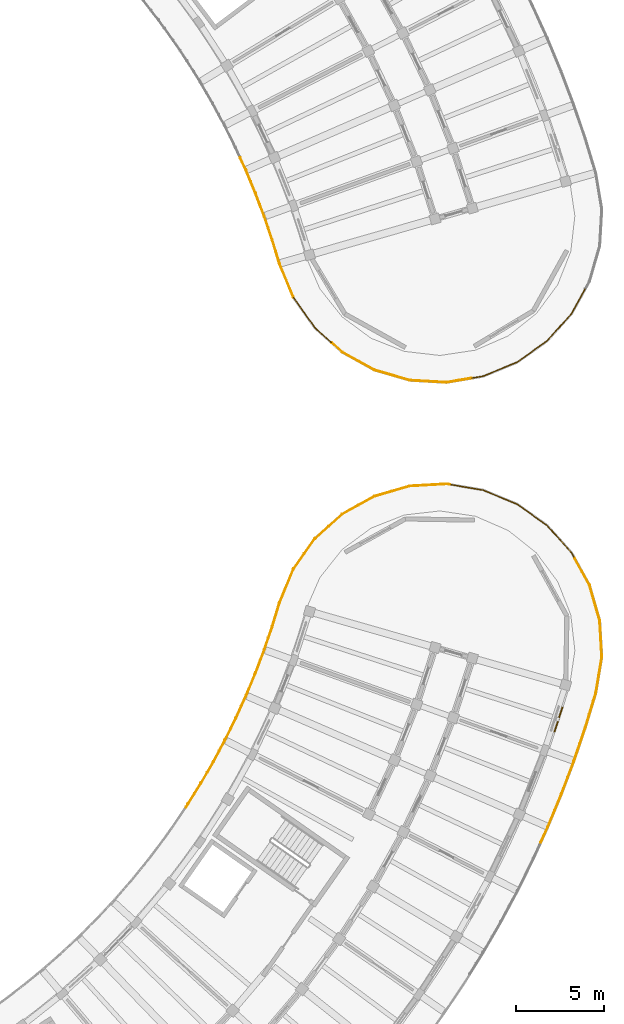
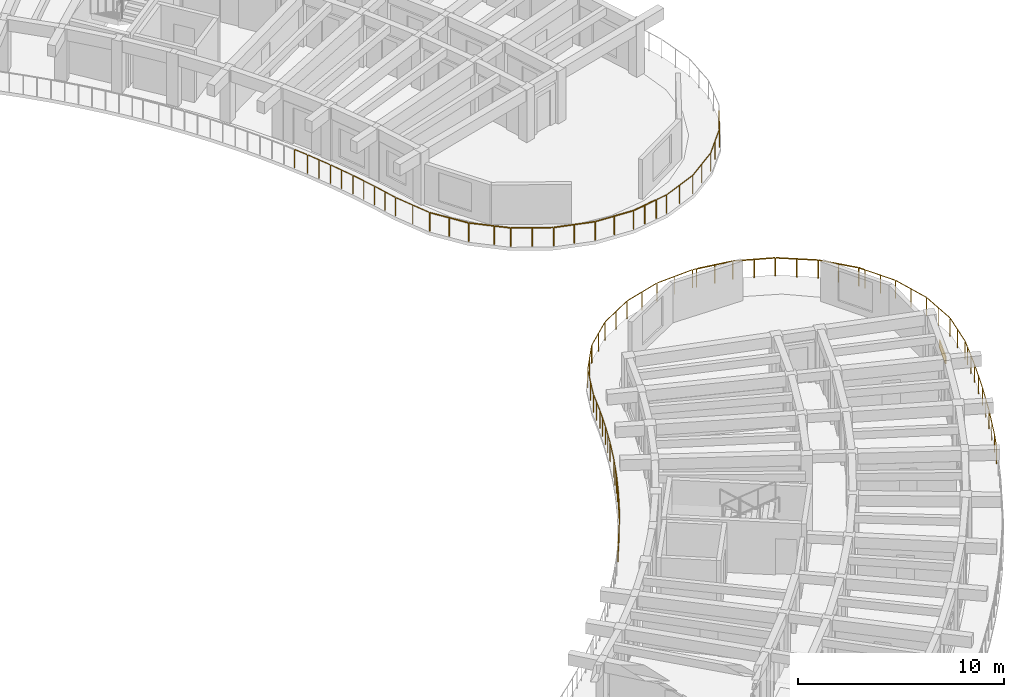
# One storey, part 64 of 69: 10 railings, 1 shading device.
"""IFC4 building model written with IfcOpenShell, lengths in metres."""

from ifc_helpers import new_model, si_unit, direction, frame, origin, origin_2d, place, context, subcontext, project, spatial, rectangle, circle, extrude, material, layer, layer_set, type_object, element, save


model = new_model("IFC4")

# Units and contexts
model_context = context("Model", 3, precision=1e-05, world=origin(), true_north=direction((0.0, 1.0)))
body_context = subcontext(model_context, "Body", "Model", "MODEL_VIEW")
ifc_project = project(units=[si_unit("LENGTHUNIT", "METRE"), si_unit("AREAUNIT", "SQUARE_METRE"), si_unit("VOLUMEUNIT", "CUBIC_METRE"), si_unit("PLANEANGLEUNIT", "RADIAN"), si_unit("MASSUNIT", "GRAM", prefix="KILO")], contexts=[model_context])

# Site, building, storey
site_placement = place(None, origin())
site = spatial("IfcSite", under=ifc_project, at=site_placement, CompositionType="ELEMENT")
building_placement = place(site_placement, origin())
building = spatial("IfcBuilding", under=site, at=building_placement, Name="Tanwirah Colonnade Gardens", CompositionType="ELEMENT")
storey_placement = place(building_placement, frame((0.0, 0.0, 15.56005859375)))
storey = spatial("IfcBuildingStorey", under=building, at=storey_placement, Name="L04", CompositionType="ELEMENT", Elevation=15.56005859375)

# Railings
ifc_material_1 = material(Name="Precast concrete C40/50", Category="concrete")
railing_type_1 = type_object("IfcRailingType", Name="BAL-EXT110", PredefinedType="BALUSTRADE", material=ifc_material_1)
railing_1_placement = place(storey_placement, frame((156.728515625, 41.15869140625, 0.0)))
element("IfcRailing", 1, at=railing_1_placement, inside=storey, type_object=railing_type_1, Name="Block D L04 Balcony Ribbon Balustrade 5", PredefinedType="BALUSTRADE", context=body_context, shape_type="SweptSolid", body=[
    extrude(circle(Radius=0.02392578125, at=origin_2d()), frame((0.017333984375, 0.02587890625, 1.076171875), z_axis=(0.556591623042, 0.83078623313, 0.0), x_axis=(-0.83078623313, 0.556591623042, 0.0)), (0.0, 0.0, 1.0), 0.145751953125),
    extrude(circle(Radius=0.02392578125, at=origin_2d()), frame((0.1337890625, 0.201904296875, 1.076171875), z_axis=(0.529022666758, 0.848607693847, 0.0), x_axis=(-0.848607693847, 0.529022666758, 0.0)), (0.0, 0.0, 1.0), 1.33154296875),
    extrude(circle(Radius=0.02392578125, at=origin_2d()), frame((0.87158203125, 1.3876953125, 1.076171875), z_axis=(0.501015561301, 0.865438274711, 0.0), x_axis=(-0.865438274711, 0.501015561301, 0.0)), (0.0, 0.0, 1.0), 1.33154296875),
    extrude(circle(Radius=0.02392578125, at=origin_2d()), frame((1.5703125, 2.596923828125, 1.076171875), z_axis=(0.472323466806, 0.881425290484, 0.0), x_axis=(-0.881425290484, 0.472323466806, 0.0)), (0.0, 0.0, 1.0), 1.33154296875),
    extrude(circle(Radius=0.02392578125, at=origin_2d()), frame((2.229248046875, 3.82861328125, 1.076171875), z_axis=(0.443286097627, 0.896380184771, 0.0), x_axis=(-0.896380184771, 0.443286097627, 0.0)), (0.0, 0.0, 1.0), 1.33154296875),
    extrude(circle(Radius=0.02392578125, at=origin_2d()), frame((2.847412109375, 5.0810546875, 1.076171875), z_axis=(0.413697373423, 0.91041445684, 0.0), x_axis=(-0.91041445684, 0.413697373423, 0.0)), (0.0, 0.0, 1.0), 1.331298828125),
    extrude(circle(Radius=0.02392578125, at=origin_2d()), frame((3.424072265625, 6.352783203125, 1.076171875), z_axis=(0.383672564884, 0.923469199787, 0.0), x_axis=(-0.923469199787, 0.383672564884, 0.0)), (0.0, 0.0, 1.0), 1.2431640625),
    extrude(circle(Radius=0.02099609375, at=origin_2d()), origin(), (0.0, 0.0, 1.0), 1.049072265625),
    extrude(circle(Radius=0.02099609375, at=origin_2d()), frame((0.115966796875, 0.173095703125, 0.0)), (0.0, 0.0, 1.0), 1.049072265625),
    extrude(circle(Radius=0.02099609375, at=origin_2d()), frame((0.48583984375, 0.766845703125, 0.0)), (0.0, 0.0, 1.0), 1.049072265625),
    extrude(circle(Radius=0.02099609375, at=origin_2d()), frame((0.854736328125, 1.3583984375, 0.0)), (0.0, 0.0, 1.0), 1.049072265625),
    extrude(circle(Radius=0.02099609375, at=origin_2d()), frame((1.205078125, 1.9638671875, 0.0)), (0.0, 0.0, 1.0), 1.049072265625),
    extrude(circle(Radius=0.02099609375, at=origin_2d()), frame((1.554443359375, 2.567138671875, 0.0)), (0.0, 0.0, 1.0), 1.049072265625),
    extrude(circle(Radius=0.02099609375, at=origin_2d()), frame((1.884765625, 3.18359375, 0.0)), (0.0, 0.0, 1.0), 1.049072265625),
    extrude(circle(Radius=0.02099609375, at=origin_2d()), frame((2.214111328125, 3.798095703125, 0.0)), (0.0, 0.0, 1.0), 1.049072265625),
    extrude(circle(Radius=0.02099609375, at=origin_2d()), frame((2.5244140625, 4.42529296875, 0.0)), (0.0, 0.0, 1.0), 1.049072265625),
    extrude(circle(Radius=0.02099609375, at=origin_2d()), frame((2.833251953125, 5.050048828125, 0.0)), (0.0, 0.0, 1.0), 1.049072265625),
    extrude(circle(Radius=0.02099609375, at=origin_2d()), frame((3.122802734375, 5.68701171875, 0.0)), (0.0, 0.0, 1.0), 1.049072265625),
    extrude(circle(Radius=0.02099609375, at=origin_2d()), frame((3.4111328125, 6.321533203125, 0.0)), (0.0, 0.0, 1.0), 1.049072265625),
    extrude(circle(Radius=0.02099609375, at=origin_2d()), frame((3.9130859375, 7.52978515625, 0.0)), (0.0, 0.0, 1.0), 1.049072265625),
])
railing_2_placement = place(storey_placement, frame((160.6416015625, 48.6884765625, 0.0)))
element("IfcRailing", 2, at=railing_2_placement, inside=storey, type_object=railing_type_1, Name="Block D L04 Balcony Ribbon Balustrade 6", PredefinedType="BALUSTRADE", context=body_context, shape_type="SweptSolid", body=[
    extrude(circle(Radius=0.02392578125, at=origin_2d()), frame((0.011962890625, 0.02880859375, 1.076171875), z_axis=(0.384222801745, 0.923240401315, 0.0), x_axis=(-0.923240401315, 0.384222801745, 0.0)), (0.0, 0.0, 1.0), 0.02587890625),
    extrude(circle(Radius=0.02392578125, at=origin_2d()), frame((0.0458984375, 0.11328125, 1.076171875), z_axis=(0.353291566317, 0.935513265095, 0.0), x_axis=(-0.935513265095, 0.353291566317, 0.0)), (0.0, 0.0, 1.0), 1.331298828125),
    extrude(circle(Radius=0.02392578125, at=origin_2d()), frame((0.538330078125, 1.419921875, 1.076171875), z_axis=(0.322420738552, 0.946596464895, 0.0), x_axis=(-0.946596464895, 0.322420738552, 0.0)), (0.0, 0.0, 1.0), 1.33154296875),
    extrude(circle(Radius=0.02392578125, at=origin_2d()), frame((0.987548828125, 2.7421875, 1.076171875), z_axis=(0.291308344694, 0.956629211509, 0.0), x_axis=(-0.956629211509, 0.291308344694, 0.0)), (0.0, 0.0, 1.0), 1.327880859375),
    extrude(circle(Radius=0.02392578125, at=origin_2d()), frame((1.3955078125, 4.0712890625, 1.076171875), z_axis=(0.381489237895, 0.92437328032, 0.0), x_axis=(-0.92437328032, 0.381489237895, 0.0)), (0.0, 0.0, 1.0), 2.029541015625),
    extrude(circle(Radius=0.02392578125, at=origin_2d()), frame((2.19970703125, 6.001953125, 1.076171875), z_axis=(0.577702435947, 0.81624744747, 0.0), x_axis=(-0.81624744747, 0.577702435947, 0.0)), (0.0, 0.0, 1.0), 2.0244140625),
    extrude(circle(Radius=0.02099609375, at=origin_2d()), origin(), (0.0, 0.0, 1.0), 1.049072265625),
    extrude(circle(Radius=0.02099609375, at=origin_2d()), frame((0.033935546875, 0.08154296875, 0.0)), (0.0, 0.0, 1.0), 1.049072265625),
    extrude(circle(Radius=0.02099609375, at=origin_2d()), frame((0.28125, 0.73583984375, 0.0)), (0.0, 0.0, 1.0), 1.049072265625),
    extrude(circle(Radius=0.02099609375, at=origin_2d()), frame((0.52734375, 1.387939453125, 0.0)), (0.0, 0.0, 1.0), 1.049072265625),
    extrude(circle(Radius=0.02099609375, at=origin_2d()), frame((0.7529296875, 2.05029296875, 0.0)), (0.0, 0.0, 1.0), 1.049072265625),
    extrude(circle(Radius=0.02099609375, at=origin_2d()), frame((0.977783203125, 2.7099609375, 0.0)), (0.0, 0.0, 1.0), 1.049072265625),
    extrude(circle(Radius=0.02099609375, at=origin_2d()), frame((1.18115234375, 3.37744140625, 0.0)), (0.0, 0.0, 1.0), 1.049072265625),
    extrude(circle(Radius=0.02099609375, at=origin_2d()), frame((1.383544921875, 4.04248046875, 0.0)), (0.0, 0.0, 1.0), 1.049072265625),
    extrude(circle(Radius=0.02099609375, at=origin_2d()), frame((1.78271484375, 5.00927734375, 0.0)), (0.0, 0.0, 1.0), 1.049072265625),
    extrude(circle(Radius=0.02099609375, at=origin_2d()), frame((2.181640625, 5.976318359375, 0.0)), (0.0, 0.0, 1.0), 1.049072265625),
    extrude(circle(Radius=0.02099609375, at=origin_2d()), frame((2.784423828125, 6.828125, 0.0)), (0.0, 0.0, 1.0), 1.049072265625),
    extrude(circle(Radius=0.02099609375, at=origin_2d()), frame((3.38720703125, 7.6796875, 0.0)), (0.0, 0.0, 1.0), 1.049072265625),
])
railing_3_placement = place(storey_placement, frame((164.063720703125, 56.3994140625, 0.0)))
element("IfcRailing", 3, at=railing_3_placement, inside=storey, type_object=railing_type_1, Name="Block D L04 Balcony Ribbon Balustrade 7", PredefinedType="BALUSTRADE", context=body_context, shape_type="SweptSolid", body=[
    extrude(circle(Radius=0.02392578125, at=origin_2d()), frame((0.023193359375, 0.020751953125, 1.076171875), z_axis=(0.744815510739, 0.667270451138, 0.0), x_axis=(-0.667270451138, 0.744815510739, 0.0)), (0.0, 0.0, 1.0), 1.9775390625),
    extrude(circle(Radius=0.02392578125, at=origin_2d()), frame((1.546875, 1.37646484375, 1.076171875), z_axis=(0.874620424882, 0.484808325403, 0.0), x_axis=(-0.484808325403, 0.874620424882, 0.0)), (0.0, 0.0, 1.0), 2.0244140625),
    extrude(circle(Radius=0.02392578125, at=origin_2d()), frame((3.374755859375, 2.3818359375, 1.076171875), z_axis=(0.960560153031, 0.278072279108, 0.0), x_axis=(-0.278072279108, 0.960560153031, 0.0)), (0.0, 0.0, 1.0), 2.0244140625),
    extrude(circle(Radius=0.02392578125, at=origin_2d()), frame((5.380615234375, 2.955078125, 1.076171875), z_axis=(0.998355686266, 0.057322977065, 0.0), x_axis=(-0.057322977065, 0.998355686266, 0.0)), (0.0, 0.0, 1.0), 2.0244140625),
    extrude(circle(Radius=0.02392578125, at=origin_2d()), frame((7.463623046875, 3.06787109375, 1.076171875), z_axis=(0.985993298705, -0.166784936099, 0.0), x_axis=(0.166784936099, 0.985993298705, 0.0)), (0.0, 0.0, 1.0), 0.136474609375),
    extrude(circle(Radius=0.02099609375, at=origin_2d()), origin(), (0.0, 0.0, 1.0), 1.049072265625),
    extrude(circle(Radius=0.02099609375, at=origin_2d()), frame((0.759765625, 0.6806640625, 0.0)), (0.0, 0.0, 1.0), 1.049072265625),
    extrude(circle(Radius=0.02099609375, at=origin_2d()), frame((1.51953125, 1.361328125, 0.0)), (0.0, 0.0, 1.0), 1.049072265625),
    extrude(circle(Radius=0.02099609375, at=origin_2d()), frame((2.43212890625, 1.8671875, 0.0)), (0.0, 0.0, 1.0), 1.049072265625),
    extrude(circle(Radius=0.02099609375, at=origin_2d()), frame((3.3447265625, 2.373046875, 0.0)), (0.0, 0.0, 1.0), 1.049072265625),
    extrude(circle(Radius=0.02099609375, at=origin_2d()), frame((4.34716796875, 2.6630859375, 0.0)), (0.0, 0.0, 1.0), 1.049072265625),
    extrude(circle(Radius=0.02099609375, at=origin_2d()), frame((5.349365234375, 2.953369140625, 0.0)), (0.0, 0.0, 1.0), 1.049072265625),
    extrude(circle(Radius=0.02099609375, at=origin_2d()), frame((6.39111328125, 3.01318359375, 0.0)), (0.0, 0.0, 1.0), 1.049072265625),
    extrude(circle(Radius=0.02099609375, at=origin_2d()), frame((7.432861328125, 3.072998046875, 0.0)), (0.0, 0.0, 1.0), 1.049072265625),
    extrude(circle(Radius=0.02099609375, at=origin_2d()), frame((7.629150390625, 3.039794921875, 0.0)), (0.0, 0.0, 1.0), 1.049072265625),
])
railing_4_placement = place(storey_placement, frame((171.69287109375, 59.439208984375, 0.0)))
element("IfcRailing", 4, at=railing_4_placement, inside=storey, type_object=railing_type_1, Name="Block D L04 Balcony Ribbon Balustrade 8", PredefinedType="BALUSTRADE", context=body_context, shape_type="SweptSolid", body=[
    extrude(circle(Radius=0.02392578125, at=origin_2d()), frame((0.03076171875, -0.005126953125, 1.076171875), z_axis=(0.986074017586, -0.166307040868, 0.0), x_axis=(0.166307040868, 0.986074017586, 0.0)), (0.0, 0.0, 1.0), 1.825439453125),
    extrude(circle(Radius=0.02392578125, at=origin_2d()), frame((1.890380859375, -0.325927734375, 1.076171875), z_axis=(0.924362800533, -0.381514630115, 0.0), x_axis=(0.381514630115, 0.924362800533, 0.0)), (0.0, 0.0, 1.0), 2.024169921875),
    extrude(circle(Radius=0.02392578125, at=origin_2d()), frame((3.816162109375, -1.128173828125, 1.076171875), z_axis=(0.816286486525, -0.577647272924, 0.0), x_axis=(0.577647272924, 0.816286486525, 0.0)), (0.0, 0.0, 1.0), 2.0244140625),
    extrude(circle(Radius=0.02392578125, at=origin_2d()), frame((5.514892578125, -2.3388671875, 1.076171875), z_axis=(0.667321336148, -0.744769920393, 0.0), x_axis=(0.744769920393, 0.667321336148, 0.0)), (0.0, 0.0, 1.0), 2.0244140625),
    extrude(circle(Radius=0.02392578125, at=origin_2d()), frame((6.90185546875, -3.897216796875, 1.076171875), z_axis=(0.484581560684, -0.874746083755, 0.0), x_axis=(0.874746083755, 0.484581560684, 0.0)), (0.0, 0.0, 1.0), 0.2890625),
    extrude(circle(Radius=0.02099609375, at=origin_2d()), origin(), (0.0, 0.0, 1.0), 1.049072265625),
    extrude(circle(Radius=0.02099609375, at=origin_2d()), frame((0.9306640625, -0.156982421875, 0.0)), (0.0, 0.0, 1.0), 1.049072265625),
    extrude(circle(Radius=0.02099609375, at=origin_2d()), frame((1.861572265625, -0.31396484375, 0.0)), (0.0, 0.0, 1.0), 1.049072265625),
    extrude(circle(Radius=0.02099609375, at=origin_2d()), frame((2.826171875, -0.7119140625, 0.0)), (0.0, 0.0, 1.0), 1.049072265625),
    extrude(circle(Radius=0.02099609375, at=origin_2d()), frame((3.79052734375, -1.110107421875, 0.0)), (0.0, 0.0, 1.0), 1.049072265625),
    extrude(circle(Radius=0.02099609375, at=origin_2d()), frame((4.642333984375, -1.712890625, 0.0)), (0.0, 0.0, 1.0), 1.049072265625),
    extrude(circle(Radius=0.02099609375, at=origin_2d()), frame((5.494140625, -2.315673828125, 0.0)), (0.0, 0.0, 1.0), 1.049072265625),
    extrude(circle(Radius=0.02099609375, at=origin_2d()), frame((6.1904296875, -3.0927734375, 0.0)), (0.0, 0.0, 1.0), 1.049072265625),
    extrude(circle(Radius=0.02099609375, at=origin_2d()), frame((6.88671875, -3.869873046875, 0.0)), (0.0, 0.0, 1.0), 1.049072265625),
    extrude(circle(Radius=0.02099609375, at=origin_2d()), frame((7.05712890625, -4.177490234375, 0.0)), (0.0, 0.0, 1.0), 1.049072265625),
])
railing_5_placement = place(storey_placement, frame((178.75, 55.26171875, 0.0)))
element("IfcRailing", 5, at=railing_5_placement, inside=storey, type_object=railing_type_1, Name="Block D L04 Balcony Ribbon Balustrade 9", PredefinedType="BALUSTRADE", context=body_context, shape_type="SweptSolid", body=[
    extrude(circle(Radius=0.02392578125, at=origin_2d()), frame((0.01513671875, -0.02734375, 1.076171875), z_axis=(0.484794621278, -0.874628021035, 0.0), x_axis=(0.874628021035, 0.484794621278, 0.0)), (0.0, 0.0, 1.0), 1.6728515625),
    extrude(circle(Radius=0.02392578125, at=origin_2d()), frame((0.85009765625, -1.5478515625, 1.076171875), z_axis=(0.277995575468, -0.960582354627, 0.0), x_axis=(0.960582354627, 0.277995575468, 0.0)), (0.0, 0.0, 1.0), 2.024169921875),
    extrude(circle(Radius=0.02392578125, at=origin_2d()), frame((1.423095703125, -3.553466796875, 1.076171875), z_axis=(0.057322977065, -0.998355686266, 0.0), x_axis=(0.998355686266, 0.057322977065, 0.0)), (0.0, 0.0, 1.0), 2.0244140625),
    extrude(circle(Radius=0.02392578125, at=origin_2d()), frame((1.535888671875, -5.636474609375, 1.076171875), z_axis=(-0.166273240714, -0.98607971758, 0.0), x_axis=(0.98607971758, -0.166273240714, 0.0)), (0.0, 0.0, 1.0), 2.0283203125),
    extrude(circle(Radius=0.02392578125, at=origin_2d()), frame((1.184326171875, -7.697509765625, 1.076171875), z_axis=(-0.290928518409, -0.956744792082, 0.0), x_axis=(0.956744792082, -0.290928518409, 0.0)), (0.0, 0.0, 1.0), 0.437744140625),
    extrude(circle(Radius=0.02099609375, at=origin_2d()), origin(), (0.0, 0.0, 1.0), 1.049072265625),
    extrude(circle(Radius=0.02099609375, at=origin_2d()), frame((0.420654296875, -0.7587890625, 0.0)), (0.0, 0.0, 1.0), 1.049072265625),
    extrude(circle(Radius=0.02099609375, at=origin_2d()), frame((0.84130859375, -1.517822265625, 0.0)), (0.0, 0.0, 1.0), 1.049072265625),
    extrude(circle(Radius=0.02099609375, at=origin_2d()), frame((1.13134765625, -2.52001953125, 0.0)), (0.0, 0.0, 1.0), 1.049072265625),
    extrude(circle(Radius=0.02099609375, at=origin_2d()), frame((1.42138671875, -3.522216796875, 0.0)), (0.0, 0.0, 1.0), 1.049072265625),
    extrude(circle(Radius=0.02099609375, at=origin_2d()), frame((1.481201171875, -4.56396484375, 0.0)), (0.0, 0.0, 1.0), 1.049072265625),
    extrude(circle(Radius=0.02099609375, at=origin_2d()), frame((1.541015625, -5.605712890625, 0.0)), (0.0, 0.0, 1.0), 1.049072265625),
    extrude(circle(Radius=0.02099609375, at=origin_2d()), frame((1.3671875, -6.63671875, 0.0)), (0.0, 0.0, 1.0), 1.049072265625),
    extrude(circle(Radius=0.02099609375, at=origin_2d()), frame((1.193359375, -7.66748046875, 0.0)), (0.0, 0.0, 1.0), 1.049072265625),
    extrude(circle(Radius=0.02099609375, at=origin_2d()), frame((1.0478515625, -8.14599609375, 0.0)), (0.0, 0.0, 1.0), 1.049072265625),
])
railing_6_placement = place(storey_placement, frame((179.7978515625, 47.11572265625, 0.0)))
element("IfcRailing", 6, at=railing_6_placement, inside=storey, type_object=railing_type_1, Name="Block D L04 Balcony Ribbon Balustrade 10", PredefinedType="BALUSTRADE", context=body_context, shape_type="SweptSolid", body=[
    extrude(circle(Radius=0.02392578125, at=origin_2d()), frame((-0.009033203125, -0.02978515625, 1.076171875), z_axis=(-0.291504284688, -0.956569522831, 0.0), x_axis=(0.956569522831, -0.291504284688, 0.0)), (0.0, 0.0, 1.0), 1.43994140625),
    extrude(circle(Radius=0.02392578125, at=origin_2d()), frame((-0.447998046875, -1.466796875, 1.076171875), z_axis=(-0.322426184604, -0.946594609895, 0.0), x_axis=(0.946594609895, -0.322426184604, 0.0)), (0.0, 0.0, 1.0), 1.944091796875),
    extrude(circle(Radius=0.02392578125, at=origin_2d()), frame((-1.095947265625, -3.365966796875, 1.076171875), z_axis=(-0.353175799738, -0.935556975539, 0.0), x_axis=(0.935556975539, -0.353175799738, 0.0)), (0.0, 0.0, 1.0), 1.9443359375),
    extrude(circle(Radius=0.02392578125, at=origin_2d()), frame((-1.8056640625, -5.242919921875, 1.076171875), z_axis=(-0.383777149523, -0.923425741196, 0.0), x_axis=(0.923425741196, -0.383777149523, 0.0)), (0.0, 0.0, 1.0), 1.94384765625),
    extrude(circle(Radius=0.02392578125, at=origin_2d()), frame((-2.57666015625, -7.095458984375, 1.076171875), z_axis=(-0.413746505337, -0.910392129426, 0.0), x_axis=(0.910392129426, -0.413746505337, 0.0)), (0.0, 0.0, 1.0), 0.915283203125),
    extrude(circle(Radius=0.02099609375, at=origin_2d()), origin(), (0.0, 0.0, 1.0), 1.049072265625),
    extrude(circle(Radius=0.02099609375, at=origin_2d()), frame((-0.218994140625, -0.71875, 0.0)), (0.0, 0.0, 1.0), 1.049072265625),
    extrude(circle(Radius=0.02099609375, at=origin_2d()), frame((-0.43798828125, -1.437255859375, 0.0)), (0.0, 0.0, 1.0), 1.049072265625),
    extrude(circle(Radius=0.02099609375, at=origin_2d()), frame((-0.761474609375, -2.386962890625, 0.0)), (0.0, 0.0, 1.0), 1.049072265625),
    extrude(circle(Radius=0.02099609375, at=origin_2d()), frame((-1.0849609375, -3.336669921875, 0.0)), (0.0, 0.0, 1.0), 1.049072265625),
    extrude(circle(Radius=0.02099609375, at=origin_2d()), frame((-1.439453125, -4.275390625, 0.0)), (0.0, 0.0, 1.0), 1.049072265625),
    extrude(circle(Radius=0.02099609375, at=origin_2d()), frame((-1.793701171875, -5.214111328125, 0.0)), (0.0, 0.0, 1.0), 1.049072265625),
    extrude(circle(Radius=0.02099609375, at=origin_2d()), frame((-2.1787109375, -6.140625, 0.0)), (0.0, 0.0, 1.0), 1.049072265625),
    extrude(circle(Radius=0.02099609375, at=origin_2d()), frame((-2.563720703125, -7.06689453125, 0.0)), (0.0, 0.0, 1.0), 1.049072265625),
    extrude(circle(Radius=0.02099609375, at=origin_2d()), frame((-2.96826171875, -7.95703125, 0.0)), (0.0, 0.0, 1.0), 1.049072265625),
])
railing_type_2 = type_object("IfcRailingType", Name="BAL-EXT112", PredefinedType="BALUSTRADE", material=ifc_material_1)
railing_7_placement = place(storey_placement, frame((162.8232421875, 70.035400390625, 0.0)))
element("IfcRailing", 7, at=railing_7_placement, inside=storey, type_object=railing_type_2, Name="Block B L04 Balcony Ribbon Balustrade 1", PredefinedType="BALUSTRADE", context=body_context, shape_type="SweptSolid", body=[
    extrude(circle(Radius=0.02392578125, at=origin_2d()), frame((-0.011962890625, 0.02880859375, 1.09619140625), z_axis=(-0.381489237895, 0.92437328032, 0.0), x_axis=(-0.92437328032, -0.381489237895, 0.0)), (0.0, 0.0, 1.0), 2.029541015625),
    extrude(circle(Radius=0.02392578125, at=origin_2d()), frame((-0.80712890625, 1.963623046875, 1.09619140625), z_axis=(-0.29148764702, 0.956574592823, 0.0), x_axis=(-0.956574592823, -0.29148764702, 0.0)), (0.0, 0.0, 1.0), 1.337890625),
    extrude(circle(Radius=0.02392578125, at=origin_2d()), frame((-1.217041015625, 3.305419921875, 1.09619140625), z_axis=(-0.322790719453, 0.946470364795, 0.0), x_axis=(-0.946470364795, -0.322790719453, 0.0)), (0.0, 0.0, 1.0), 1.342041015625),
    extrude(circle(Radius=0.02392578125, at=origin_2d()), frame((-1.67236328125, 4.636962890625, 1.09619140625), z_axis=(-0.353789339155, 0.935325132508, 0.0), x_axis=(-0.935325132508, -0.353789339155, 0.0)), (0.0, 0.0, 1.0), 1.341796875),
    extrude(circle(Radius=0.02392578125, at=origin_2d()), frame((-2.171142578125, 5.952392578125, 1.09619140625), z_axis=(-0.384541319971, 0.923107779858, 0.0), x_axis=(-0.923107779858, -0.384541319971, 0.0)), (0.0, 0.0, 1.0), 1.341796875),
    extrude(circle(Radius=0.02392578125, at=origin_2d()), frame((-2.713134765625, 7.2509765625, 1.09619140625), z_axis=(-0.414647740507, 0.909982006027, 0.0), x_axis=(-0.909982006027, -0.414647740507, 0.0)), (0.0, 0.0, 1.0), 0.72119140625),
    extrude(circle(Radius=0.02099609375, at=origin_2d()), origin(), (0.0, 0.0, 1.0), 1.069091796875),
    extrude(circle(Radius=0.02099609375, at=origin_2d()), frame((-0.39892578125, 0.966796875, 0.0)), (0.0, 0.0, 1.0), 1.069091796875),
    extrude(circle(Radius=0.02099609375, at=origin_2d()), frame((-0.798095703125, 1.933837890625, 0.0)), (0.0, 0.0, 1.0), 1.069091796875),
    extrude(circle(Radius=0.02099609375, at=origin_2d()), frame((-1.002197265625, 2.603515625, 0.0)), (0.0, 0.0, 1.0), 1.069091796875),
    extrude(circle(Radius=0.02099609375, at=origin_2d()), frame((-1.206298828125, 3.2734375, 0.0)), (0.0, 0.0, 1.0), 1.069091796875),
    extrude(circle(Radius=0.02099609375, at=origin_2d()), frame((-1.43359375, 3.9404296875, 0.0)), (0.0, 0.0, 1.0), 1.069091796875),
    extrude(circle(Radius=0.02099609375, at=origin_2d()), frame((-1.660400390625, 4.605224609375, 0.0)), (0.0, 0.0, 1.0), 1.069091796875),
    extrude(circle(Radius=0.02099609375, at=origin_2d()), frame((-1.90966796875, 5.264404296875, 0.0)), (0.0, 0.0, 1.0), 1.069091796875),
    extrude(circle(Radius=0.02099609375, at=origin_2d()), frame((-2.158203125, 5.921142578125, 0.0)), (0.0, 0.0, 1.0), 1.069091796875),
    extrude(circle(Radius=0.02099609375, at=origin_2d()), frame((-2.42919921875, 6.57177734375, 0.0)), (0.0, 0.0, 1.0), 1.069091796875),
    extrude(circle(Radius=0.02099609375, at=origin_2d()), frame((-2.69921875, 7.219970703125, 0.0)), (0.0, 0.0, 1.0), 1.069091796875),
    extrude(circle(Radius=0.02099609375, at=origin_2d()), frame((-3.025146484375, 7.935546875, 0.0)), (0.0, 0.0, 1.0), 1.069091796875),
])
railing_8_placement = place(storey_placement, frame((179.34326171875, 70.508544921875, 0.0)))
element("IfcRailing", 8, at=railing_8_placement, inside=storey, type_object=railing_type_2, Name="Block B L04 Balcony Ribbon Balustrade 20", PredefinedType="BALUSTRADE", context=body_context, shape_type="SweptSolid", body=[
    extrude(circle(Radius=0.02392578125, at=origin_2d()), frame((-0.01513671875, -0.02734375, 1.09619140625), z_axis=(-0.484813654045, -0.874617471156, 0.0), x_axis=(0.874617471156, -0.484813654045, 0.0)), (0.0, 0.0, 1.0), 1.5126953125),
    extrude(circle(Radius=0.02392578125, at=origin_2d()), frame((-0.784423828125, -1.40087890625, 1.09619140625), z_axis=(-0.667263194146, -0.744822012119, 0.0), x_axis=(0.744822012119, -0.667263194146, 0.0)), (0.0, 0.0, 1.0), 2.0244140625),
    extrude(circle(Radius=0.02392578125, at=origin_2d()), frame((-2.181884765625, -2.9501953125, 1.09619140625), z_axis=(-0.816286486525, -0.577647272924, 0.0), x_axis=(0.577647272924, -0.816286486525, 0.0)), (0.0, 0.0, 1.0), 2.0244140625),
    extrude(circle(Radius=0.02392578125, at=origin_2d()), frame((-3.888671875, -4.149658203125, 1.09619140625), z_axis=(-0.924362800533, -0.381514630115, 0.0), x_axis=(0.381514630115, -0.924362800533, 0.0)), (0.0, 0.0, 1.0), 2.024169921875),
    extrude(circle(Radius=0.02392578125, at=origin_2d()), frame((-5.819580078125, -4.93896484375, 1.09619140625), z_axis=(-0.9860941903, -0.166187387776, 0.0), x_axis=(0.166187387776, -0.9860941903, 0.0)), (0.0, 0.0, 1.0), 0.6015625),
    extrude(circle(Radius=0.02099609375, at=origin_2d()), origin(), (0.0, 0.0, 1.0), 1.069091796875),
    extrude(circle(Radius=0.02099609375, at=origin_2d()), frame((-0.3818359375, -0.68896484375, 0.0)), (0.0, 0.0, 1.0), 1.069091796875),
    extrude(circle(Radius=0.02099609375, at=origin_2d()), frame((-0.763671875, -1.377685546875, 0.0)), (0.0, 0.0, 1.0), 1.069091796875),
    extrude(circle(Radius=0.02099609375, at=origin_2d()), frame((-1.4599609375, -2.15478515625, 0.0)), (0.0, 0.0, 1.0), 1.069091796875),
    extrude(circle(Radius=0.02099609375, at=origin_2d()), frame((-2.15625, -2.93212890625, 0.0)), (0.0, 0.0, 1.0), 1.069091796875),
    extrude(circle(Radius=0.02099609375, at=origin_2d()), frame((-3.008056640625, -3.534912109375, 0.0)), (0.0, 0.0, 1.0), 1.069091796875),
    extrude(circle(Radius=0.02099609375, at=origin_2d()), frame((-3.85986328125, -4.1376953125, 0.0)), (0.0, 0.0, 1.0), 1.069091796875),
    extrude(circle(Radius=0.02099609375, at=origin_2d()), frame((-4.82421875, -4.53564453125, 0.0)), (0.0, 0.0, 1.0), 1.069091796875),
    extrude(circle(Radius=0.02099609375, at=origin_2d()), frame((-5.788818359375, -4.933837890625, 0.0)), (0.0, 0.0, 1.0), 1.069091796875),
    extrude(circle(Radius=0.02099609375, at=origin_2d()), frame((-6.443603515625, -5.044189453125, 0.0)), (0.0, 0.0, 1.0), 1.069091796875),
])
railing_9_placement = place(storey_placement, frame((172.899658203125, 65.46435546875, 0.0)))
element("IfcRailing", 9, at=railing_9_placement, inside=storey, type_object=railing_type_2, Name="Block B L04 Balcony Ribbon Balustrade 21", PredefinedType="BALUSTRADE", context=body_context, shape_type="SweptSolid", body=[
    extrude(circle(Radius=0.02392578125, at=origin_2d()), frame((-0.03076171875, -0.005126953125, 1.09619140625), z_axis=(-0.986081459766, -0.166262908389, 0.0), x_axis=(0.166262908389, -0.986081459766, 0.0)), (0.0, 0.0, 1.0), 1.3603515625),
    extrude(circle(Radius=0.02392578125, at=origin_2d()), frame((-1.434326171875, -0.23486328125, 1.09619140625), z_axis=(-0.998362374442, 0.057206374631, 0.0), x_axis=(-0.057206374631, -0.998362374442, 0.0)), (0.0, 0.0, 1.0), 2.0244140625),
    extrude(circle(Radius=0.02392578125, at=origin_2d()), frame((-3.5166015625, -0.1083984375, 1.09619140625), z_axis=(-0.960560153031, 0.278072279108, 0.0), x_axis=(-0.278072279108, -0.960560153031, 0.0)), (0.0, 0.0, 1.0), 2.0244140625),
    extrude(circle(Radius=0.02392578125, at=origin_2d()), frame((-5.5185546875, 0.478271484375, 1.09619140625), z_axis=(-0.874620424882, 0.484808325403, 0.0), x_axis=(-0.484808325403, -0.874620424882, 0.0)), (0.0, 0.0, 1.0), 2.0244140625),
    extrude(circle(Radius=0.02392578125, at=origin_2d()), frame((-7.339599609375, 1.49560546875, 1.09619140625), z_axis=(-0.744779587928, 0.667310546452, 0.0), x_axis=(-0.667310546452, -0.744779587928, 0.0)), (0.0, 0.0, 1.0), 0.753662109375),
    extrude(circle(Radius=0.02099609375, at=origin_2d()), origin(), (0.0, 0.0, 1.0), 1.069091796875),
    extrude(circle(Radius=0.02099609375, at=origin_2d()), frame((-0.70166015625, -0.1181640625, 0.0)), (0.0, 0.0, 1.0), 1.069091796875),
    extrude(circle(Radius=0.02099609375, at=origin_2d()), frame((-1.403076171875, -0.236572265625, 0.0)), (0.0, 0.0, 1.0), 1.069091796875),
    extrude(circle(Radius=0.02099609375, at=origin_2d()), frame((-2.44482421875, -0.1767578125, 0.0)), (0.0, 0.0, 1.0), 1.069091796875),
    extrude(circle(Radius=0.02099609375, at=origin_2d()), frame((-3.486572265625, -0.1171875, 0.0)), (0.0, 0.0, 1.0), 1.069091796875),
    extrude(circle(Radius=0.02099609375, at=origin_2d()), frame((-4.48876953125, 0.1728515625, 0.0)), (0.0, 0.0, 1.0), 1.069091796875),
    extrude(circle(Radius=0.02099609375, at=origin_2d()), frame((-5.4912109375, 0.463134765625, 0.0)), (0.0, 0.0, 1.0), 1.069091796875),
    extrude(circle(Radius=0.02099609375, at=origin_2d()), frame((-6.40380859375, 0.968994140625, 0.0)), (0.0, 0.0, 1.0), 1.069091796875),
    extrude(circle(Radius=0.02099609375, at=origin_2d()), frame((-7.31640625, 1.474853515625, 0.0)), (0.0, 0.0, 1.0), 1.069091796875),
    extrude(circle(Radius=0.02099609375, at=origin_2d()), frame((-7.92431640625, 2.01953125, 0.0)), (0.0, 0.0, 1.0), 1.069091796875),
])
railing_10_placement = place(storey_placement, frame((164.975341796875, 67.48388671875, 0.0)))
element("IfcRailing", 10, at=railing_10_placement, inside=storey, type_object=railing_type_2, Name="Block B L04 Balcony Ribbon Balustrade 22", PredefinedType="BALUSTRADE", context=body_context, shape_type="SweptSolid", body=[
    extrude(circle(Radius=0.02392578125, at=origin_2d()), frame((-0.023193359375, 0.020751953125, 1.09619140625), z_axis=(-0.744849259982, 0.6672327779, 0.0), x_axis=(-0.6672327779, -0.744849259982, 0.0)), (0.0, 0.0, 1.0), 1.208251953125),
    extrude(circle(Radius=0.02392578125, at=origin_2d()), frame((-0.964599609375, 0.87353515625, 1.09619140625), z_axis=(-0.577647272924, 0.816286486525, 0.0), x_axis=(-0.816286486525, -0.577647272924, 0.0)), (0.0, 0.0, 1.0), 2.0244140625),
    extrude(circle(Radius=0.02099609375, at=origin_2d()), origin(), (0.0, 0.0, 1.0), 1.069091796875),
    extrude(circle(Radius=0.02099609375, at=origin_2d()), frame((-0.946533203125, 0.847900390625, 0.0)), (0.0, 0.0, 1.0), 1.069091796875),
    extrude(circle(Radius=0.02099609375, at=origin_2d()), frame((-1.54931640625, 1.69970703125, 0.0)), (0.0, 0.0, 1.0), 1.069091796875),
    extrude(circle(Radius=0.02099609375, at=origin_2d()), frame((-2.152099609375, 2.551513671875, 0.0)), (0.0, 0.0, 1.0), 1.069091796875),
])

# Shading device
ifc_material_2 = material(Name="Perforated architectural bronze aluminium", Category="aluminium")
ifc_layer = layer(ifc_material_2, 0.050048828125)
ifc_layer_set = layer_set([ifc_layer], Name="Perforated architectural bronze aluminium")
shading_device_type = type_object("IfcShadingDeviceType", Name="SHD-OVH1", PredefinedType="SHUTTER", material=ifc_layer_set)
shading_device_placement = place(storey_placement, frame((177.8359375, 46.12255859375, 1.8447265625), z_axis=(0.0, 0.0, 1.0), x_axis=(0.30694295016, 0.951727915608, 0.0)))
element("IfcShadingDevice", 11, at=shading_device_placement, inside=storey, type_object=shading_device_type, Name="Solar shading louver hood D-L04-15", PredefinedType="SHUTTER", context=body_context, shape_type="SweptSolid", body=[
    extrude(rectangle(XDim=1.47998046875, YDim=0.06005859375, at=origin_2d()), origin(), (0.0, 0.0, 1.0), 0.449951171875),
])

save(model, "model.ifc")
